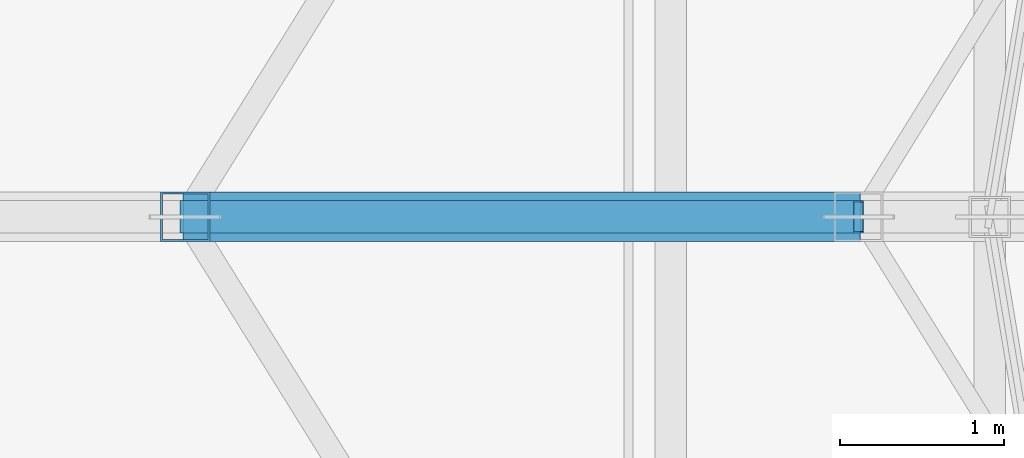
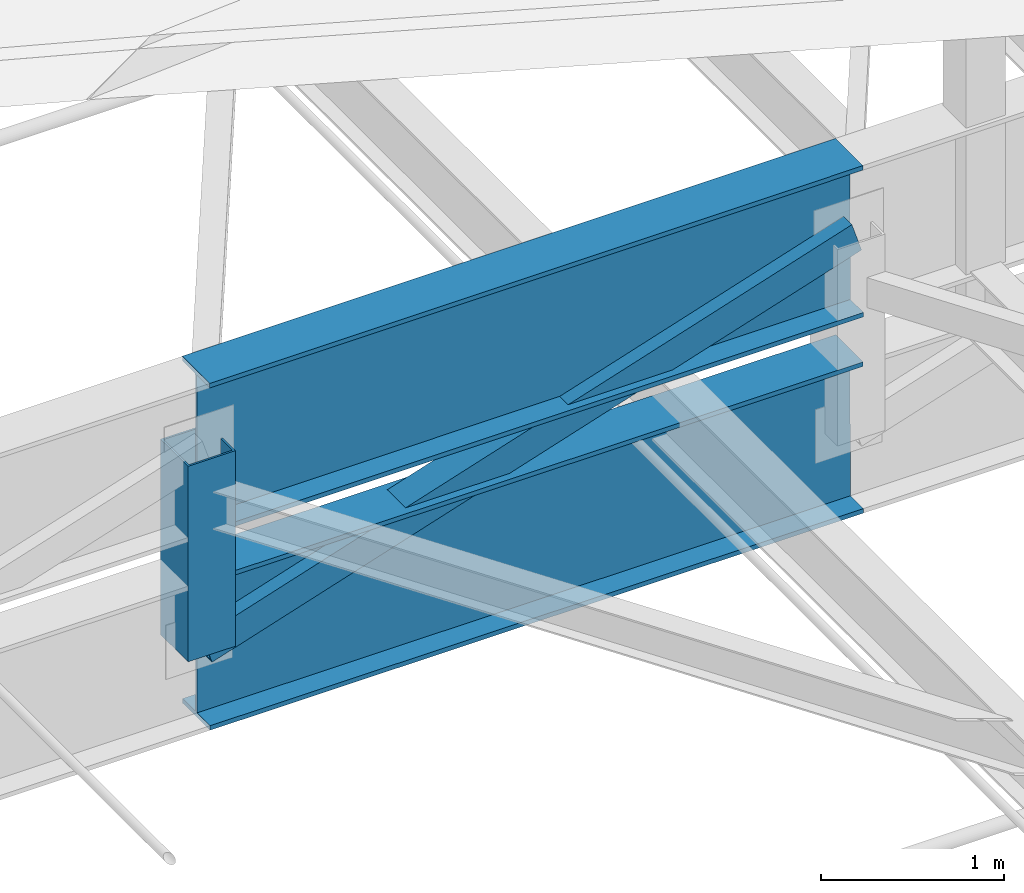
# One storey, part 13 of 184: 2 beams, 2 members.
"""IFC4 building model written with IfcOpenShell, lengths in metres."""

from ifc_helpers import new_model, si_unit, direction, frame, origin, origin_2d, place, context, subcontext, project, spatial, hollow_rectangle, i_section, extrude, material, material_profile, profile_set, type_object, element, save


model = new_model("IFC4")

# Units and contexts
model_context = context("Model", 3, precision=1e-05, world=origin(), true_north=direction((0.0, 1.0)))
body_context = subcontext(model_context, "Body", "Model", "MODEL_VIEW")
ifc_project = project(units=[si_unit("LENGTHUNIT", "METRE"), si_unit("AREAUNIT", "SQUARE_METRE"), si_unit("VOLUMEUNIT", "CUBIC_METRE"), si_unit("PLANEANGLEUNIT", "RADIAN"), si_unit("MASSUNIT", "GRAM", prefix="KILO")], contexts=[model_context])

# Site, building, storey
site_placement = place(None, origin())
site = spatial("IfcSite", under=ifc_project, at=site_placement, CompositionType="ELEMENT")
building_placement = place(site_placement, origin())
building = spatial("IfcBuilding", under=site, at=building_placement, Name="Kalgoora Escarpment Arena", CompositionType="ELEMENT")
storey_placement = place(building_placement, frame((0.0, 0.0, 27.60009765625)))
storey = spatial("IfcBuildingStorey", under=building, at=storey_placement, Name="Roof Level", CompositionType="ELEMENT", Elevation=27.60009765625)

# Beams
ifc_material_1 = material(Name="Structural steel Grade 350 (350 MPa)", Category="steel")
ifc_material_profile_1 = material_profile(ifc_material_1, i_section(OverallWidth=0.300048828125, OverallDepth=1.010009765625, WebThickness=0.01611328125, FlangeThickness=0.030029296875, at=origin_2d()))
ifc_profile_set_1 = profile_set([ifc_material_profile_1], Name="Structural steel Grade 350 (350 MPa)")
beam_type = type_object("IfcBeamType", Name="BM-TRUSS-CHORD", PredefinedType="USERDEFINED", material=ifc_profile_set_1)
for number, where, z_axis, x_axis, name in (
    (1, (51.887939453125, 64.0, -1.64501953125), (0.999999299082, 0.0, 0.001183991593), (0.0, 1.0, 0.0), "Radial ROOF TRUSS spine 5 bottom chord 3"),
    (2, (51.887939453125, 64.0, -0.340087890625), (0.999997054401, 0.0, 0.002427177317), (0.0, 1.0, 0.0), "Radial ROOF TRUSS spine 5 top chord 3"),
):
    element("IfcBeam", number, at=place(storey_placement, frame(where, z_axis=z_axis, x_axis=x_axis)), inside=storey, type_object=beam_type, Name=name, ObjectType="GIRDER", PredefinedType="USERDEFINED", context=body_context, shape_type="SweptSolid", body=[
        extrude(i_section(OverallWidth=0.300048828125, OverallDepth=1.010009765625, WebThickness=0.01611328125, FlangeThickness=0.030029296875, at=origin_2d()), origin(), (0.0, 0.0, 1.0), 4.1240234375),
    ])

# Members
ifc_material_2 = material(Name="Structural steel C350 (350 MPa)", Category="steel")
ifc_material_profile_2 = material_profile(ifc_material_2, hollow_rectangle(XDim=0.199951171875, YDim=0.199951171875, WallThickness=0.009033203125, at=origin_2d()))
ifc_profile_set_2 = profile_set([ifc_material_profile_2], Name="Structural steel C350 (350 MPa)")
member_type_1 = type_object("IfcMemberType", Name="MEM-TRUSS-DIAG", PredefinedType="BRACE", material=ifc_profile_set_2)
member_1_placement = place(storey_placement, frame((51.89990234375, 64.0, -1.64501953125), z_axis=(0.952227761294, 0.0, 0.305388753265), x_axis=(0.0, 1.0, 0.0)))
element("IfcMember", 3, at=member_1_placement, inside=storey, type_object=member_type_1, Name="Radial ROOF TRUSS spine 5 web diagonal 3", PredefinedType="BRACE", context=body_context, shape_type="SweptSolid", body=[
    extrude(hollow_rectangle(XDim=0.199951171875, YDim=0.199951171875, WallThickness=0.009033203125, at=origin_2d()), origin(), (0.0, 0.0, 1.0), 4.305908203125),
])
ifc_material_3 = material(Name="Structural steel C450 (450 MPa)", Category="steel")
ifc_material_profile_3 = material_profile(ifc_material_3, hollow_rectangle(XDim=0.300048828125, YDim=0.300048828125, WallThickness=0.012451171875, at=origin_2d()))
ifc_profile_set_3 = profile_set([ifc_material_profile_3], Name="Structural steel C450 (450 MPa)")
member_type_2 = type_object("IfcMemberType", Name="MEM-TRUSS-POST", PredefinedType="POST", material=ifc_profile_set_3)
member_2_placement = place(storey_placement, frame((51.89990234375, 64.0, -1.64501953125), z_axis=(0.0, 0.0, 1.0), x_axis=(1.0, 0.0, 0.0)))
element("IfcMember", 4, at=member_2_placement, inside=storey, type_object=member_type_2, Name="Radial ROOF TRUSS spine 5 post 2", PredefinedType="POST", context=body_context, shape_type="SweptSolid", body=[
    extrude(hollow_rectangle(XDim=0.300048828125, YDim=0.300048828125, WallThickness=0.012451171875, at=origin_2d()), origin(), (0.0, 0.0, 1.0), 1.304931640625),
])

save(model, "model.ifc")
